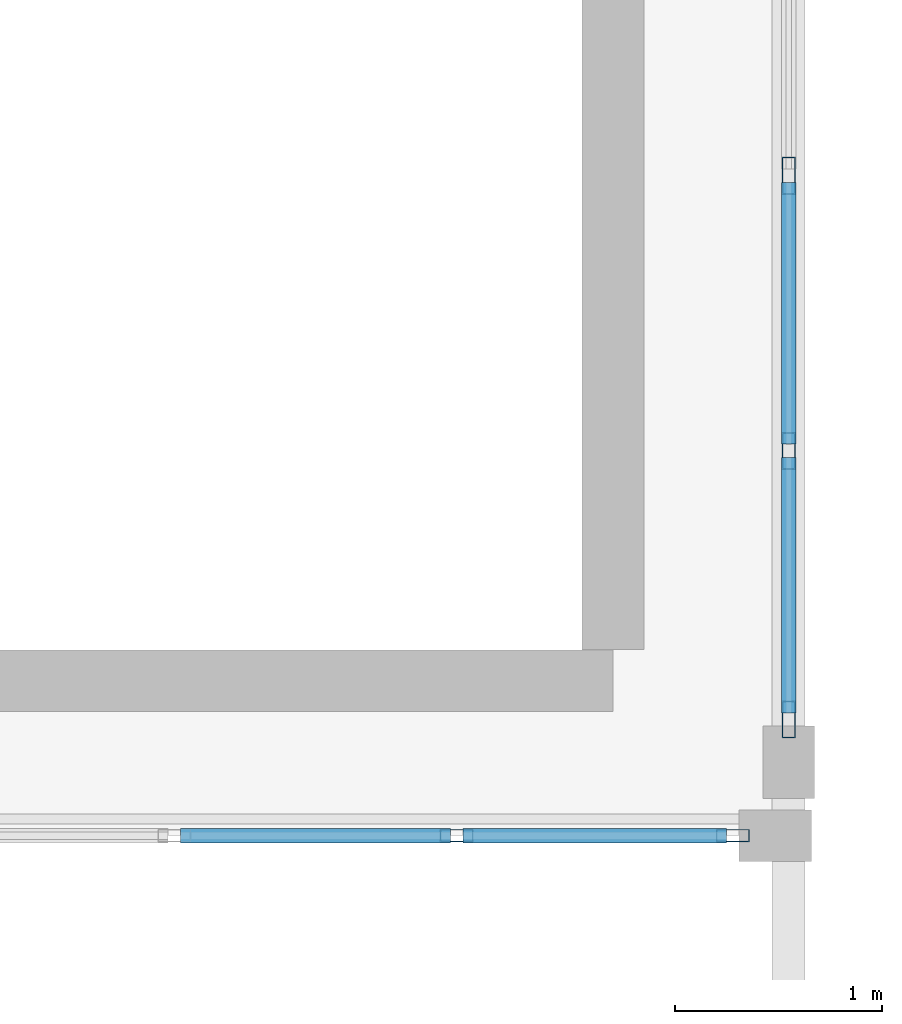
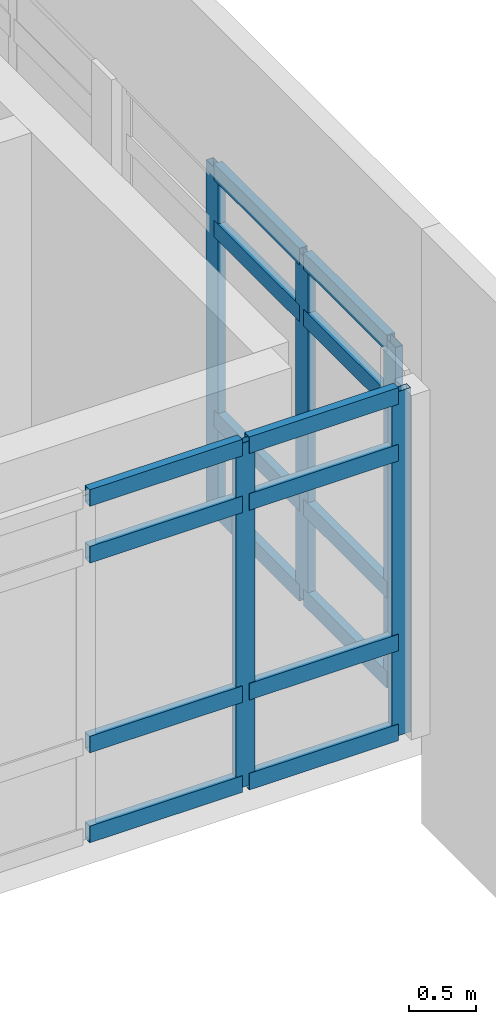
# One storey, part 20 of 37: 21 members, 2 elements without a shape of their own.
"""IFC4 building model written with IfcOpenShell, lengths in metres."""

from ifc_helpers import new_model, si_unit, direction, frame, origin, origin_2d, place, context, subcontext, project, spatial, hollow_rectangle, extrude, material, layer, layer_set, material_profile, profile_set, type_object, element, aggregate, save


model = new_model("IFC4")

# Units and contexts
model_context = context("Model", 3, precision=1e-05, world=origin(), true_north=direction((0.0, 1.0)))
body_context = subcontext(model_context, "Body", "Model", "MODEL_VIEW")
ifc_project = project(units=[si_unit("LENGTHUNIT", "METRE"), si_unit("AREAUNIT", "SQUARE_METRE"), si_unit("VOLUMEUNIT", "CUBIC_METRE"), si_unit("PLANEANGLEUNIT", "RADIAN"), si_unit("MASSUNIT", "GRAM", prefix="KILO")], contexts=[model_context])

# Site, building, storey
site_placement = place(None, origin())
site = spatial("IfcSite", under=ifc_project, at=site_placement, CompositionType="ELEMENT")
building_placement = place(site_placement, origin())
building = spatial("IfcBuilding", under=site, at=building_placement, Name="Fikremerkos Civic Library", CompositionType="ELEMENT")
storey_placement = place(building_placement, frame((0.0, 0.0, 23.39990234375)))
storey = spatial("IfcBuildingStorey", under=building, at=storey_placement, Name="L05", CompositionType="ELEMENT", Elevation=23.39990234375)

# Curtain wall, members
ifc_material = material(Name="Anodized aluminium Frame", Category="aluminium")
ifc_layer_1 = layer(ifc_material, 0.159912109375, Name="Anodized aluminium Frame")
ifc_layer_set_1 = layer_set([ifc_layer_1], Name="Anodized aluminium Frame")
curtain_wall_type_1 = type_object("IfcCurtainWallType", Name="Unitised curtain wall CW-09 3600x3400", PredefinedType="USERDEFINED", material=ifc_layer_set_1)
curtain_wall_1_placement = place(storey_placement, origin())
curtain_wall_1 = element("IfcCurtainWall", 1, at=curtain_wall_1_placement, inside=storey, type_object=curtain_wall_type_1, Name="Unitised curtain wall CW-09 L05 #279", ObjectType="UNITISED CURTAIN WALL", PredefinedType="USERDEFINED")
ifc_material_profile_1 = material_profile(ifc_material, hollow_rectangle(XDim=0.06494140625, YDim=0.179931640625, WallThickness=0.00439453125, at=origin_2d()), Name="ALU 180x65x4.5")
ifc_profile_set_1 = profile_set([ifc_material_profile_1], Name="Anodized aluminium Frame")
member_type_1 = type_object("IfcMemberType", Name="Curtain mullion CWM-01 ALU 180x65x4.5", PredefinedType="MULLION", material=ifc_profile_set_1)
member_1_placement = place(storey_placement, frame((113.699951171875, 24.795654296875, 0.0), z_axis=(0.0, 0.0, 1.0), x_axis=(1.0, 0.0, 0.0)))
member_1 = element("IfcMember", 2, at=member_1_placement, type_object=member_type_1, Name="CW-09 mullion 2", PredefinedType="MULLION", context=body_context, shape_type="SweptSolid", body=[
    extrude(hollow_rectangle(XDim=0.06494140625, YDim=0.179931640625, WallThickness=0.00439453125, at=origin_2d()), origin(), (0.0, 0.0, 1.0), 3.1201171875),
])
member_2_placement = place(storey_placement, frame((113.699951171875, 23.462890625, 0.0), z_axis=(0.0, 0.0, 1.0), x_axis=(1.0, 0.0, 0.0)))
member_2 = element("IfcMember", 3, at=member_2_placement, type_object=member_type_1, Name="CW-09 mullion 3", PredefinedType="MULLION", context=body_context, shape_type="SweptSolid", body=[
    extrude(hollow_rectangle(XDim=0.06494140625, YDim=0.179931640625, WallThickness=0.00439453125, at=origin_2d()), origin(), (0.0, 0.0, 1.0), 3.1201171875),
])
member_3_placement = place(storey_placement, frame((113.699951171875, 22.16259765625, 0.0), z_axis=(0.0, 0.0, 1.0), x_axis=(1.0, 0.0, 0.0)))
member_3 = element("IfcMember", 4, at=member_3_placement, type_object=member_type_1, Name="CW-09 mullion 4", PredefinedType="MULLION", context=body_context, shape_type="SweptSolid", body=[
    extrude(hollow_rectangle(XDim=0.06494140625, YDim=0.179931640625, WallThickness=0.00439453125, at=origin_2d()), origin(), (0.0, 0.0, 1.0), 3.1201171875),
])

ifc_layer_2 = layer(ifc_material, 0.159912109375, Name="Anodized aluminium Frame")
ifc_layer_set_2 = layer_set([ifc_layer_2], Name="Anodized aluminium Frame")
curtain_wall_type_2 = type_object("IfcCurtainWallType", Name="Unitised curtain wall CW-10 4000x3400", PredefinedType="USERDEFINED", material=ifc_layer_set_2)
curtain_wall_2_placement = place(storey_placement, origin())
curtain_wall_2 = element("IfcCurtainWall", 5, at=curtain_wall_2_placement, inside=storey, type_object=curtain_wall_type_2, Name="Unitised curtain wall CW-10 L05 #280", ObjectType="UNITISED CURTAIN WALL", PredefinedType="USERDEFINED")
ifc_material_profile_2 = material_profile(ifc_material, hollow_rectangle(XDim=0.06005859375, YDim=0.159912109375, WallThickness=0.00390625, at=origin_2d()), Name="ALU 160x60x4")
ifc_profile_set_2 = profile_set([ifc_material_profile_2], Name="Anodized aluminium Frame")
member_type_2 = type_object("IfcMemberType", Name="Curtain mullion CWM-02 ALU 160x60x4", PredefinedType="MULLION", material=ifc_profile_set_2)
member_4_placement = place(storey_placement, frame((113.429931640625, 21.60009765625, 0.0), z_axis=(0.0, 0.0, 1.0), x_axis=(0.0, -1.0, 0.0)))
member_4 = element("IfcMember", 6, at=member_4_placement, type_object=member_type_2, Name="CW-10 mullion 1", PredefinedType="MULLION", context=body_context, shape_type="SweptSolid", body=[
    extrude(hollow_rectangle(XDim=0.06005859375, YDim=0.159912109375, WallThickness=0.00390625, at=origin_2d()), origin(), (0.0, 0.0, 1.0), 3.1201171875),
])
member_5_placement = place(storey_placement, frame((112.092529296875, 21.60009765625, 0.0), z_axis=(0.0, 0.0, 1.0), x_axis=(0.0, -1.0, 0.0)))
member_5 = element("IfcMember", 7, at=member_5_placement, type_object=member_type_2, Name="CW-10 mullion 2", PredefinedType="MULLION", context=body_context, shape_type="SweptSolid", body=[
    extrude(hollow_rectangle(XDim=0.06005859375, YDim=0.159912109375, WallThickness=0.00390625, at=origin_2d()), origin(), (0.0, 0.0, 1.0), 3.1201171875),
])

# Member
ifc_material_profile_3 = material_profile(ifc_material, hollow_rectangle(XDim=0.070068359375, YDim=0.14990234375, WallThickness=0.00439453125, at=origin_2d()), Name="ALU 150x70x4.5")
ifc_profile_set_3 = profile_set([ifc_material_profile_3], Name="Anodized aluminium Frame")
member_type_3 = type_object("IfcMemberType", Name="Curtain transom CWT-01 ALU 150x70x4.5", PredefinedType="USERDEFINED", material=ifc_profile_set_3)
member_6_placement = place(storey_placement, frame((113.699951171875, 24.76318359375, 0.03515625), z_axis=(0.0, -1.0, 0.0), x_axis=(1.0, 0.0, 0.0)))
member_6 = element("IfcMember", 8, at=member_6_placement, type_object=member_type_3, Name="CW-09 transom 2.1", ObjectType="TRANSOM", PredefinedType="USERDEFINED", context=body_context, shape_type="SweptSolid", body=[
    extrude(hollow_rectangle(XDim=0.070068359375, YDim=0.14990234375, WallThickness=0.00439453125, at=origin_2d()), origin(), (0.0, 0.0, 1.0), 1.267822265625),
])

member_7_placement = place(storey_placement, frame((113.699951171875, 24.76318359375, 0.85009765625), z_axis=(0.0, -1.0, 0.0), x_axis=(1.0, 0.0, 0.0)))
member_7 = element("IfcMember", 9, at=member_7_placement, type_object=member_type_3, Name="CW-09 transom 2.2", ObjectType="TRANSOM", PredefinedType="USERDEFINED", context=body_context, shape_type="SweptSolid", body=[
    extrude(hollow_rectangle(XDim=0.070068359375, YDim=0.14990234375, WallThickness=0.00439453125, at=origin_2d()), origin(), (0.0, 0.0, 1.0), 1.267822265625),
])

member_8_placement = place(storey_placement, frame((113.699951171875, 24.76318359375, 2.570068359375), z_axis=(0.0, -1.0, 0.0), x_axis=(1.0, 0.0, 0.0)))
member_8 = element("IfcMember", 10, at=member_8_placement, type_object=member_type_3, Name="CW-09 transom 2.3", ObjectType="TRANSOM", PredefinedType="USERDEFINED", context=body_context, shape_type="SweptSolid", body=[
    extrude(hollow_rectangle(XDim=0.070068359375, YDim=0.14990234375, WallThickness=0.00439453125, at=origin_2d()), origin(), (0.0, 0.0, 1.0), 1.267822265625),
])

member_9_placement = place(storey_placement, frame((113.699951171875, 24.76318359375, 3.085205078125), z_axis=(0.0, -1.0, 0.0), x_axis=(1.0, 0.0, 0.0)))
member_9 = element("IfcMember", 11, at=member_9_placement, type_object=member_type_3, Name="CW-09 transom 2.4", ObjectType="TRANSOM", PredefinedType="USERDEFINED", context=body_context, shape_type="SweptSolid", body=[
    extrude(hollow_rectangle(XDim=0.070068359375, YDim=0.14990234375, WallThickness=0.00439453125, at=origin_2d()), origin(), (0.0, 0.0, 1.0), 1.267822265625),
])

member_10_placement = place(storey_placement, frame((113.699951171875, 23.430419921875, 0.03515625), z_axis=(0.0, -1.0, 0.0), x_axis=(1.0, 0.0, 0.0)))
member_10 = element("IfcMember", 12, at=member_10_placement, type_object=member_type_3, Name="CW-09 transom 3.1", ObjectType="TRANSOM", PredefinedType="USERDEFINED", context=body_context, shape_type="SweptSolid", body=[
    extrude(hollow_rectangle(XDim=0.070068359375, YDim=0.14990234375, WallThickness=0.00439453125, at=origin_2d()), origin(), (0.0, 0.0, 1.0), 1.2353515625),
])

member_11_placement = place(storey_placement, frame((113.699951171875, 23.430419921875, 0.85009765625), z_axis=(0.0, -1.0, 0.0), x_axis=(1.0, 0.0, 0.0)))
member_11 = element("IfcMember", 13, at=member_11_placement, type_object=member_type_3, Name="CW-09 transom 3.2", ObjectType="TRANSOM", PredefinedType="USERDEFINED", context=body_context, shape_type="SweptSolid", body=[
    extrude(hollow_rectangle(XDim=0.070068359375, YDim=0.14990234375, WallThickness=0.00439453125, at=origin_2d()), origin(), (0.0, 0.0, 1.0), 1.2353515625),
])

member_12_placement = place(storey_placement, frame((113.699951171875, 23.430419921875, 2.570068359375), z_axis=(0.0, -1.0, 0.0), x_axis=(1.0, 0.0, 0.0)))
member_12 = element("IfcMember", 14, at=member_12_placement, type_object=member_type_3, Name="CW-09 transom 3.3", ObjectType="TRANSOM", PredefinedType="USERDEFINED", context=body_context, shape_type="SweptSolid", body=[
    extrude(hollow_rectangle(XDim=0.070068359375, YDim=0.14990234375, WallThickness=0.00439453125, at=origin_2d()), origin(), (0.0, 0.0, 1.0), 1.2353515625),
])

member_13_placement = place(storey_placement, frame((113.699951171875, 23.430419921875, 3.085205078125), z_axis=(0.0, -1.0, 0.0), x_axis=(1.0, 0.0, 0.0)))
member_13 = element("IfcMember", 15, at=member_13_placement, type_object=member_type_3, Name="CW-09 transom 3.4", ObjectType="TRANSOM", PredefinedType="USERDEFINED", context=body_context, shape_type="SweptSolid", body=[
    extrude(hollow_rectangle(XDim=0.070068359375, YDim=0.14990234375, WallThickness=0.00439453125, at=origin_2d()), origin(), (0.0, 0.0, 1.0), 1.2353515625),
])

aggregate(curtain_wall_1, [member_1, member_2, member_3, member_6, member_7, member_8, member_9, member_10, member_11, member_12, member_13])

member_14_placement = place(storey_placement, frame((113.39990234375, 21.60009765625, 0.03515625), z_axis=(-1.0, 0.0, 0.0), x_axis=(0.0, -1.0, 0.0)))
member_14 = element("IfcMember", 16, at=member_14_placement, type_object=member_type_3, Name="CW-10 transom 1.1", ObjectType="TRANSOM", PredefinedType="USERDEFINED", context=body_context, shape_type="SweptSolid", body=[
    extrude(hollow_rectangle(XDim=0.070068359375, YDim=0.14990234375, WallThickness=0.00439453125, at=origin_2d()), origin(), (0.0, 0.0, 1.0), 1.27734375),
])

member_15_placement = place(storey_placement, frame((113.39990234375, 21.60009765625, 0.85009765625), z_axis=(-1.0, 0.0, 0.0), x_axis=(0.0, -1.0, 0.0)))
member_15 = element("IfcMember", 17, at=member_15_placement, type_object=member_type_3, Name="CW-10 transom 1.2", ObjectType="TRANSOM", PredefinedType="USERDEFINED", context=body_context, shape_type="SweptSolid", body=[
    extrude(hollow_rectangle(XDim=0.070068359375, YDim=0.14990234375, WallThickness=0.00439453125, at=origin_2d()), origin(), (0.0, 0.0, 1.0), 1.27734375),
])

member_16_placement = place(storey_placement, frame((113.39990234375, 21.60009765625, 2.570068359375), z_axis=(-1.0, 0.0, 0.0), x_axis=(0.0, -1.0, 0.0)))
member_16 = element("IfcMember", 18, at=member_16_placement, type_object=member_type_3, Name="CW-10 transom 1.3", ObjectType="TRANSOM", PredefinedType="USERDEFINED", context=body_context, shape_type="SweptSolid", body=[
    extrude(hollow_rectangle(XDim=0.070068359375, YDim=0.14990234375, WallThickness=0.00439453125, at=origin_2d()), origin(), (0.0, 0.0, 1.0), 1.27734375),
])

member_17_placement = place(storey_placement, frame((113.39990234375, 21.60009765625, 3.085205078125), z_axis=(-1.0, 0.0, 0.0), x_axis=(0.0, -1.0, 0.0)))
member_17 = element("IfcMember", 19, at=member_17_placement, type_object=member_type_3, Name="CW-10 transom 1.4", ObjectType="TRANSOM", PredefinedType="USERDEFINED", context=body_context, shape_type="SweptSolid", body=[
    extrude(hollow_rectangle(XDim=0.070068359375, YDim=0.14990234375, WallThickness=0.00439453125, at=origin_2d()), origin(), (0.0, 0.0, 1.0), 1.27734375),
])

member_18_placement = place(storey_placement, frame((112.0625, 21.60009765625, 0.03515625), z_axis=(-1.0, 0.0, 0.0), x_axis=(0.0, -1.0, 0.0)))
member_18 = element("IfcMember", 20, at=member_18_placement, type_object=member_type_3, Name="CW-10 transom 2.1", ObjectType="TRANSOM", PredefinedType="USERDEFINED", context=body_context, shape_type="SweptSolid", body=[
    extrude(hollow_rectangle(XDim=0.070068359375, YDim=0.14990234375, WallThickness=0.00439453125, at=origin_2d()), origin(), (0.0, 0.0, 1.0), 1.3076171875),
])

member_19_placement = place(storey_placement, frame((112.0625, 21.60009765625, 0.85009765625), z_axis=(-1.0, 0.0, 0.0), x_axis=(0.0, -1.0, 0.0)))
member_19 = element("IfcMember", 21, at=member_19_placement, type_object=member_type_3, Name="CW-10 transom 2.2", ObjectType="TRANSOM", PredefinedType="USERDEFINED", context=body_context, shape_type="SweptSolid", body=[
    extrude(hollow_rectangle(XDim=0.070068359375, YDim=0.14990234375, WallThickness=0.00439453125, at=origin_2d()), origin(), (0.0, 0.0, 1.0), 1.3076171875),
])

member_20_placement = place(storey_placement, frame((112.0625, 21.60009765625, 2.570068359375), z_axis=(-1.0, 0.0, 0.0), x_axis=(0.0, -1.0, 0.0)))
member_20 = element("IfcMember", 22, at=member_20_placement, type_object=member_type_3, Name="CW-10 transom 2.3", ObjectType="TRANSOM", PredefinedType="USERDEFINED", context=body_context, shape_type="SweptSolid", body=[
    extrude(hollow_rectangle(XDim=0.070068359375, YDim=0.14990234375, WallThickness=0.00439453125, at=origin_2d()), origin(), (0.0, 0.0, 1.0), 1.3076171875),
])

member_21_placement = place(storey_placement, frame((112.0625, 21.60009765625, 3.085205078125), z_axis=(-1.0, 0.0, 0.0), x_axis=(0.0, -1.0, 0.0)))
member_21 = element("IfcMember", 23, at=member_21_placement, type_object=member_type_3, Name="CW-10 transom 2.4", ObjectType="TRANSOM", PredefinedType="USERDEFINED", context=body_context, shape_type="SweptSolid", body=[
    extrude(hollow_rectangle(XDim=0.070068359375, YDim=0.14990234375, WallThickness=0.00439453125, at=origin_2d()), origin(), (0.0, 0.0, 1.0), 1.3076171875),
])

aggregate(curtain_wall_2, [member_4, member_5, member_14, member_15, member_16, member_17, member_18, member_19, member_20, member_21])

save(model, "model.ifc")
